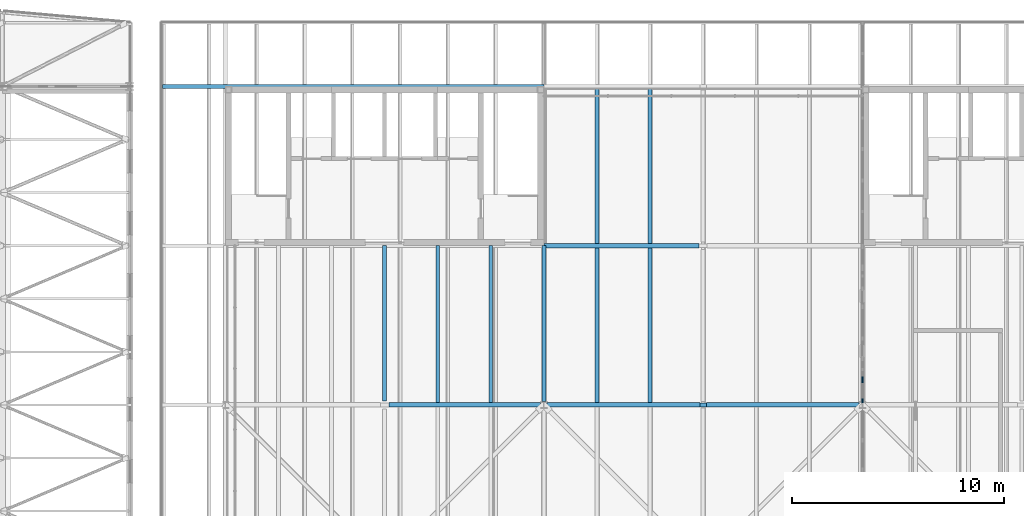
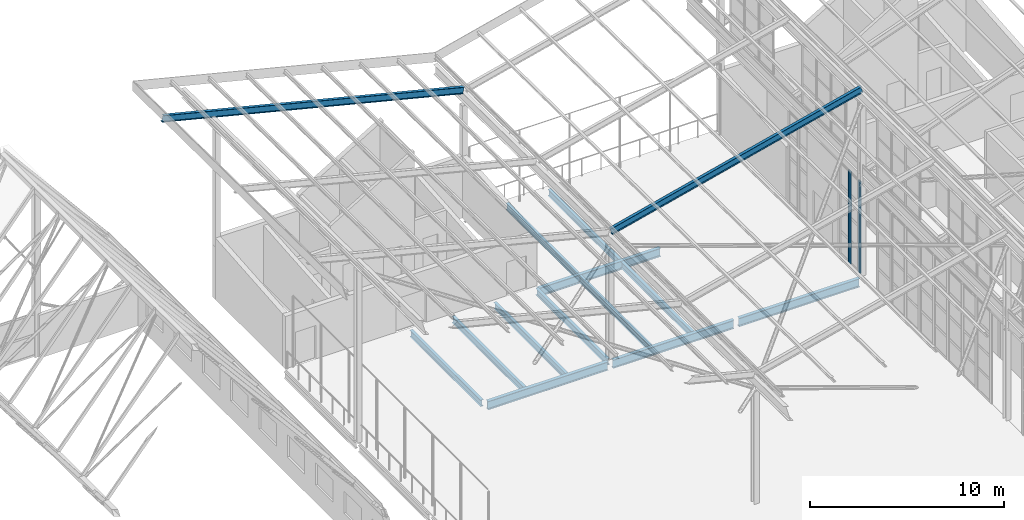
# One storey, part 38 of 483: 12 beams, 5 members, 2 elements without a shape of their own.
"""IFC4 building model written with IfcOpenShell, lengths in metres."""

from ifc_helpers import new_model, si_unit, direction, frame, origin, origin_2d, place, context, subcontext, project, spatial, rectangle, i_section, extrude, material, material_profile, profile_set, type_object, element, aggregate, save


model = new_model("IFC4")

# Units and contexts
model_context = context("Model", 3, precision=1e-05, world=origin(), true_north=direction((0.0, 1.0)))
body_context = subcontext(model_context, "Body", "Model", "MODEL_VIEW")
ifc_project = project(units=[si_unit("LENGTHUNIT", "METRE"), si_unit("AREAUNIT", "SQUARE_METRE"), si_unit("VOLUMEUNIT", "CUBIC_METRE"), si_unit("PLANEANGLEUNIT", "RADIAN"), si_unit("MASSUNIT", "GRAM", prefix="KILO")], contexts=[model_context])

# Site, building, storey
site_placement = place(None, origin())
site = spatial("IfcSite", under=ifc_project, at=site_placement, CompositionType="ELEMENT")
building_placement = place(site_placement, origin())
building = spatial("IfcBuilding", under=site, at=building_placement, Name="Parallax Yard Mobility Hub", CompositionType="ELEMENT")
storey_placement = place(building_placement, frame((0.0, 0.0, 13.199951171875)))
storey = spatial("IfcBuildingStorey", under=building, at=storey_placement, Name="L04", CompositionType="ELEMENT", Elevation=13.199951171875)

# Curtain wall, members
ifc_material_1 = material(Name="Thermally broken aluminium curtain wall system", Category="aluminium")
curtain_wall_type = type_object("IfcCurtainWallType", Name="Tall curtain wall run 75 x 200 frame", PredefinedType="NOTDEFINED", material=ifc_material_1)
curtain_wall_1_placement = place(storey_placement, origin())
curtain_wall_1 = element("IfcCurtainWall", 1, at=curtain_wall_1_placement, inside=storey, type_object=curtain_wall_type, Name="Curtain wall run Rooftop sports deck west bay 3 level L04", PredefinedType="NOTDEFINED")
ifc_material_2 = material(Name="Extruded aluminium", Category="aluminium")
ifc_material_profile_1 = material_profile(ifc_material_2, rectangle(XDim=0.074951171875, YDim=0.199951171875, at=origin_2d()), Name="Mullion 75 x 200")
ifc_profile_set_1 = profile_set([ifc_material_profile_1], Name="Extruded aluminium")
member_type_1 = type_object("IfcMemberType", Name="Mullion 75 x 200", PredefinedType="MULLION", material=ifc_profile_set_1)
member_1_placement = place(storey_placement, frame((127.5, 37.696533203125, 0.0), z_axis=(0.0, 0.0, 1.0), x_axis=(-1.0, 0.0, 0.0)))
member_1 = element("IfcMember", 2, at=member_1_placement, type_object=member_type_1, Name="CW3 mullion 1", PredefinedType="MULLION", context=body_context, shape_type="SweptSolid", body=[
    extrude(rectangle(XDim=0.074951171875, YDim=0.199951171875, at=origin_2d()), origin(), (0.0, 0.0, 1.0), 5.800048828125),
])
member_2_placement = place(storey_placement, frame((127.5, 38.65673828125, 0.0), z_axis=(0.0, 0.0, 1.0), x_axis=(-1.0, 0.0, 0.0)))
member_2 = element("IfcMember", 3, at=member_2_placement, type_object=member_type_1, Name="CW3 mullion 2", PredefinedType="MULLION", context=body_context, shape_type="SweptSolid", body=[
    extrude(rectangle(XDim=0.074951171875, YDim=0.199951171875, at=origin_2d()), origin(), (0.0, 0.0, 1.0), 5.800048828125),
])
aggregate(curtain_wall_1, [member_1, member_2])

# Curtain wall, member
curtain_wall_2_placement = place(storey_placement, origin())
curtain_wall_2 = element("IfcCurtainWall", 4, at=curtain_wall_2_placement, inside=storey, type_object=curtain_wall_type, Name="Curtain wall run Rooftop sports deck west bay 3 level L04", PredefinedType="NOTDEFINED")
member_3_placement = place(storey_placement, frame((127.5, 38.731689453125, 0.0), z_axis=(0.0, 0.0, 1.0), x_axis=(-1.0, 0.0, 0.0)))
member_3 = element("IfcMember", 5, at=member_3_placement, type_object=member_type_1, Name="CW3 mullion 1", PredefinedType="MULLION", context=body_context, shape_type="SweptSolid", body=[
    extrude(rectangle(XDim=0.074951171875, YDim=0.199951171875, at=origin_2d()), origin(), (0.0, 0.0, 1.0), 5.800048828125),
])
aggregate(curtain_wall_2, [member_3])

# Members
ifc_material_3 = material(Name="Steel ASTM A992", Category="steel")
ifc_material_profile_2 = material_profile(ifc_material_3, i_section(OverallWidth=0.177978515625, OverallDepth=0.406982421875, WebThickness=0.0078125, FlangeThickness=0.0126953125, at=origin_2d()), Name="W410x60")
ifc_profile_set_2 = profile_set([ifc_material_profile_2], Name="Steel ASTM A992")
member_type_2 = type_object("IfcMemberType", Name="Roof rafter W410x60", PredefinedType="RAFTER", material=ifc_profile_set_2)
member_4_placement = place(storey_placement, frame((94.50048828125, 52.498046875, 12.292724609375), z_axis=(0.970142500145, 0.0, -0.242535625036), x_axis=(-0.002352689629, 0.999952950131, -0.009410758517)))
element("IfcMember", 6, at=member_4_placement, inside=storey, type_object=member_type_2, Name="Roof rafter court west wing at y 52.5", PredefinedType="RAFTER", context=body_context, shape_type="SweptSolid", body=[
    extrude(i_section(OverallWidth=0.177978515625, OverallDepth=0.406982421875, WebThickness=0.0078125, FlangeThickness=0.0126953125, at=origin_2d()), origin(), (0.0, 0.0, 1.0), 18.502685546875),
])
member_5_placement = place(storey_placement, frame((112.54931640625, 37.498046875, 7.955078125), z_axis=(0.970142500145, 0.0, 0.242535625036), x_axis=(0.002352689629, 0.999952950131, -0.009410758517)))
element("IfcMember", 7, at=member_5_placement, inside=storey, type_object=member_type_2, Name="Roof rafter court east wing at y 37.5", PredefinedType="RAFTER", context=body_context, shape_type="SweptSolid", body=[
    extrude(i_section(OverallWidth=0.177978515625, OverallDepth=0.406982421875, WebThickness=0.0078125, FlangeThickness=0.0126953125, at=origin_2d()), origin(), (0.0, 0.0, 1.0), 15.410400390625),
])

# Beams
ifc_material_profile_3 = material_profile(ifc_material_3, i_section(OverallWidth=0.177978515625, OverallDepth=0.406005859375, WebThickness=0.0078125, FlangeThickness=0.0126953125, FilletRadius=0.01025390625, at=origin_2d()), Name="W410x60")
ifc_profile_set_3 = profile_set([ifc_material_profile_3], Name="Steel ASTM A992")
beam_type_1 = type_object("IfcBeamType", Name="W410x60 secondary beam", PredefinedType="JOIST", material=ifc_profile_set_3)
beam_1_placement = place(storey_placement, frame((107.5, 37.6044921875, -0.343017578125), z_axis=(0.0, 1.0, 0.0), x_axis=(-1.0, 0.0, 0.0)))
element("IfcBeam", 8, at=beam_1_placement, inside=storey, type_object=beam_type_1, Name="Secondary beam B1 level L04, 2.5 m east of line 15 of mobility service centre and workshops, span 5", PredefinedType="JOIST", context=body_context, shape_type="SweptSolid", body=[
    extrude(i_section(OverallWidth=0.177978515625, OverallDepth=0.406005859375, WebThickness=0.0078125, FlangeThickness=0.0126953125, FilletRadius=0.01025390625, at=origin_2d()), origin(), (0.0, 0.0, 1.0), 7.3955078125),
])
beam_2_placement = place(storey_placement, frame((115.0, 37.6044921875, -0.343017578125), z_axis=(0.0, 1.0, 0.0), x_axis=(-1.0, 0.0, 0.0)))
element("IfcBeam", 9, at=beam_2_placement, inside=storey, type_object=beam_type_1, Name="Secondary beam B1 level L04, 2.5 m east of line 16 of mobility service centre and workshops, span 5", PredefinedType="JOIST", context=body_context, shape_type="SweptSolid", body=[
    extrude(i_section(OverallWidth=0.177978515625, OverallDepth=0.406005859375, WebThickness=0.0078125, FlangeThickness=0.0126953125, FilletRadius=0.01025390625, at=origin_2d()), origin(), (0.0, 0.0, 1.0), 7.291015625),
])
beam_3_placement = place(storey_placement, frame((115.0, 45.1044921875, -0.343017578125), z_axis=(0.0, 1.0, 0.0), x_axis=(-1.0, 0.0, 0.0)))
element("IfcBeam", 10, at=beam_3_placement, inside=storey, type_object=beam_type_1, Name="Secondary beam B1 level L04, 2.5 m east of line 16 of mobility service centre and workshops, span 6", PredefinedType="JOIST", context=body_context, shape_type="SweptSolid", body=[
    extrude(i_section(OverallWidth=0.177978515625, OverallDepth=0.406005859375, WebThickness=0.0078125, FlangeThickness=0.0126953125, FilletRadius=0.01025390625, at=origin_2d()), origin(), (0.0, 0.0, 1.0), 7.305908203125),
])
beam_4_placement = place(storey_placement, frame((110.0, 37.6044921875, -0.343017578125), z_axis=(0.0, 1.0, 0.0), x_axis=(-1.0, 0.0, 0.0)))
element("IfcBeam", 11, at=beam_4_placement, inside=storey, type_object=beam_type_1, Name="Secondary beam B1 level L04, 5 m east of line 15 of mobility service centre and workshops, span 5", PredefinedType="JOIST", context=body_context, shape_type="SweptSolid", body=[
    extrude(i_section(OverallWidth=0.177978515625, OverallDepth=0.406005859375, WebThickness=0.0078125, FlangeThickness=0.0126953125, FilletRadius=0.01025390625, at=origin_2d()), origin(), (0.0, 0.0, 1.0), 7.3955078125),
])
beam_5_placement = place(storey_placement, frame((117.5, 37.6044921875, -0.343017578125), z_axis=(0.0, 1.0, 0.0), x_axis=(-1.0, 0.0, 0.0)))
element("IfcBeam", 12, at=beam_5_placement, inside=storey, type_object=beam_type_1, Name="Secondary beam B1 level L04, 5 m east of line 16 of mobility service centre and workshops, span 5", PredefinedType="JOIST", context=body_context, shape_type="SweptSolid", body=[
    extrude(i_section(OverallWidth=0.177978515625, OverallDepth=0.406005859375, WebThickness=0.0078125, FlangeThickness=0.0126953125, FilletRadius=0.01025390625, at=origin_2d()), origin(), (0.0, 0.0, 1.0), 7.291015625),
])
beam_6_placement = place(storey_placement, frame((117.5, 45.1044921875, -0.343017578125), z_axis=(0.0, 1.0, 0.0), x_axis=(-1.0, 0.0, 0.0)))
element("IfcBeam", 13, at=beam_6_placement, inside=storey, type_object=beam_type_1, Name="Secondary beam B1 level L04, 5 m east of line 16 of mobility service centre and workshops, span 6", PredefinedType="JOIST", context=body_context, shape_type="SweptSolid", body=[
    extrude(i_section(OverallWidth=0.177978515625, OverallDepth=0.406005859375, WebThickness=0.0078125, FlangeThickness=0.0126953125, FilletRadius=0.01025390625, at=origin_2d()), origin(), (0.0, 0.0, 1.0), 7.305908203125),
])
ifc_material_profile_4 = material_profile(ifc_material_3, i_section(OverallWidth=0.178955078125, OverallDepth=0.408935546875, WebThickness=0.0087890625, FlangeThickness=0.014404296875, FilletRadius=0.01025390625, at=origin_2d()), Name="W410x67")
ifc_profile_set_4 = profile_set([ifc_material_profile_4], Name="Steel ASTM A992")
beam_type_2 = type_object("IfcBeamType", Name="W410x67 girder", PredefinedType="BEAM", material=ifc_profile_set_4)
beam_7_placement = place(storey_placement, frame((105.0, 37.68798828125, -0.344482421875), z_axis=(0.0, 1.0, 0.0), x_axis=(-1.0, 0.0, 0.0)))
element("IfcBeam", 14, at=beam_7_placement, inside=storey, type_object=beam_type_2, Name="Girder G1 level L04, line 15 of mobility service centre and workshops, span 5", PredefinedType="BEAM", context=body_context, shape_type="SweptSolid", body=[
    extrude(i_section(OverallWidth=0.178955078125, OverallDepth=0.408935546875, WebThickness=0.0087890625, FlangeThickness=0.014404296875, FilletRadius=0.01025390625, at=origin_2d()), origin(), (0.0, 0.0, 1.0), 7.31201171875),
])
beam_8_placement = place(storey_placement, frame((112.5, 37.658935546875, -0.344482421875), z_axis=(0.0, 1.0, 0.0), x_axis=(-1.0, 0.0, 0.0)))
element("IfcBeam", 15, at=beam_8_placement, inside=storey, type_object=beam_type_2, Name="Girder G1 level L04, line 16 of mobility service centre and workshops, span 5", PredefinedType="BEAM", context=body_context, shape_type="SweptSolid", body=[
    extrude(i_section(OverallWidth=0.178955078125, OverallDepth=0.408935546875, WebThickness=0.0087890625, FlangeThickness=0.014404296875, FilletRadius=0.01025390625, at=origin_2d()), origin(), (0.0, 0.0, 1.0), 7.341064453125),
])
ifc_material_profile_5 = material_profile(ifc_material_3, i_section(OverallWidth=0.208984375, OverallDepth=0.532958984375, WebThickness=0.01025390625, FlangeThickness=0.015625, FilletRadius=0.0126953125, at=origin_2d()), Name="W530x92")
ifc_profile_set_5 = profile_set([ifc_material_profile_5], Name="Steel ASTM A992")
beam_type_3 = type_object("IfcBeamType", Name="W530x92 longitudinal beam", PredefinedType="BEAM", material=ifc_profile_set_5)
beam_9_placement = place(storey_placement, frame((105.197021484375, 37.5, -0.406494140625), z_axis=(1.0, 0.0, 0.0), x_axis=(0.0, 1.0, 0.0)))
element("IfcBeam", 16, at=beam_9_placement, inside=storey, type_object=beam_type_3, Name="Longitudinal beam SB6 level L04, line F of mobility service centre and workshops, span 2", PredefinedType="BEAM", context=body_context, shape_type="SweptSolid", body=[
    extrude(i_section(OverallWidth=0.208984375, OverallDepth=0.532958984375, WebThickness=0.01025390625, FlangeThickness=0.015625, FilletRadius=0.0126953125, at=origin_2d()), origin(), (0.0, 0.0, 1.0), 7.1494140625),
])
for number, where, z_axis, x_axis, name in (
    (17, (112.653564453125, 37.5, -0.406494140625), (1.0, 0.0, 0.0), (0.0, 1.0, 0.0), "Longitudinal beam SB6 level L04, line F of mobility service centre and workshops, span 3"),
    (18, (120.152587890625, 37.5, -0.406494140625), (1.0, 0.0, 0.0), (0.0, 1.0, 0.0), "Longitudinal beam SB6 level L04, line F of mobility service centre and workshops, span 4"),
):
    element("IfcBeam", number, at=place(storey_placement, frame(where, z_axis=z_axis, x_axis=x_axis)), inside=storey, type_object=beam_type_3, Name=name, PredefinedType="BEAM", context=body_context, shape_type="SweptSolid", body=[
        extrude(i_section(OverallWidth=0.208984375, OverallDepth=0.532958984375, WebThickness=0.01025390625, FlangeThickness=0.015625, FilletRadius=0.0126953125, at=origin_2d()), origin(), (0.0, 0.0, 1.0), 7.19384765625),
    ])
beam_10_placement = place(storey_placement, frame((112.5, 45.0, -0.406494140625), z_axis=(1.0, 0.0, 0.0), x_axis=(0.0, 1.0, 0.0)))
element("IfcBeam", 19, at=beam_10_placement, inside=storey, type_object=beam_type_3, Name="Longitudinal beam SB6 level L04, line G of mobility service centre and workshops, span 1", PredefinedType="BEAM", context=body_context, shape_type="SweptSolid", body=[
    extrude(i_section(OverallWidth=0.208984375, OverallDepth=0.532958984375, WebThickness=0.01025390625, FlangeThickness=0.015625, FilletRadius=0.0126953125, at=origin_2d()), origin(), (0.0, 0.0, 1.0), 7.3134765625),
])

save(model, "model.ifc")
